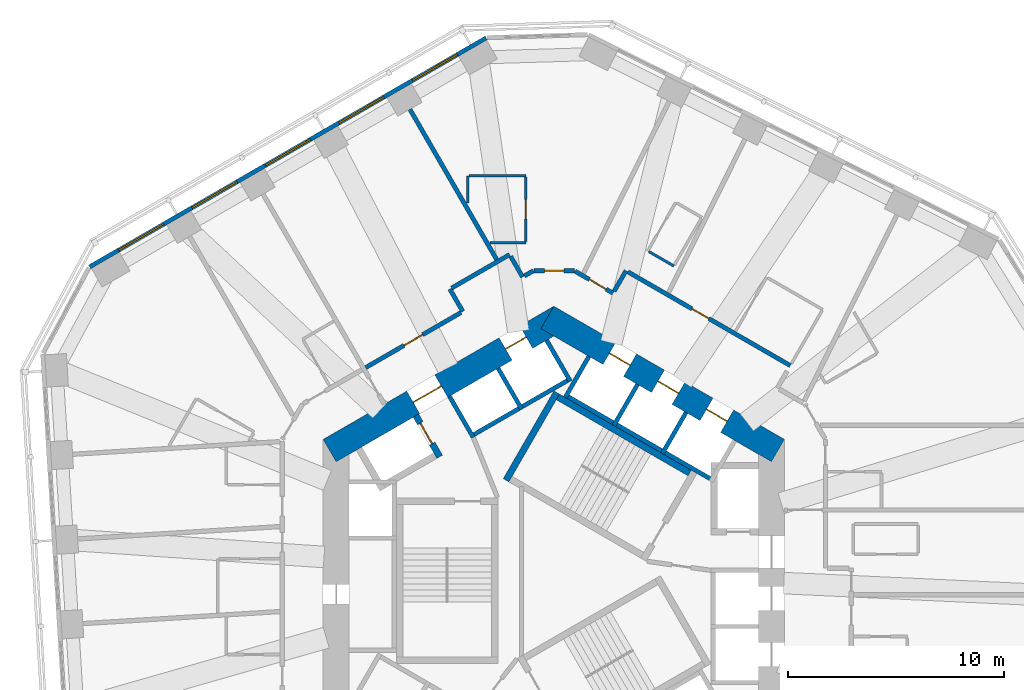
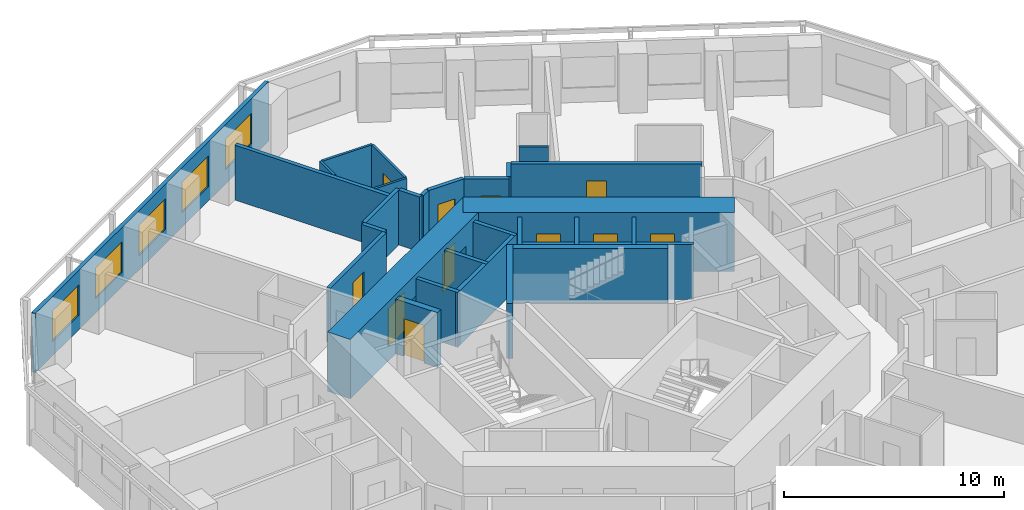
# One storey, part 8 of 12: 29 walls, 11 doors, 5 windows, 16 openings.
"""IFC4 building model written with IfcOpenShell, lengths in metres."""

from ifc_helpers import new_model, si_unit, direction, frame, frame_2d, origin, place, context, subcontext, project, spatial, rectangle, extrude, material, layer, layer_set, type_object, element, fill, save


model = new_model("IFC4")

# Units and contexts
model_context = context("Model", 3, precision=1e-05, world=origin(), true_north=direction((0.0, 1.0)))
body_context = subcontext(model_context, "Body", "Model", "MODEL_VIEW")
ifc_project = project(units=[si_unit("LENGTHUNIT", "METRE"), si_unit("AREAUNIT", "SQUARE_METRE"), si_unit("VOLUMEUNIT", "CUBIC_METRE"), si_unit("PLANEANGLEUNIT", "RADIAN"), si_unit("MASSUNIT", "GRAM", prefix="KILO")], contexts=[model_context])

# Site, building, storey
site_placement = place(None, origin())
site = spatial("IfcSite", under=ifc_project, at=site_placement, CompositionType="ELEMENT")
building_placement = place(site_placement, origin())
building = spatial("IfcBuilding", under=site, at=building_placement, Name="Vanh Sen Convention Tower", CompositionType="ELEMENT")
storey_placement = place(building_placement, frame((0.0, 0.0, 57.199951171875)))
storey = spatial("IfcBuildingStorey", under=building, at=storey_placement, Name="L11", CompositionType="ELEMENT", Elevation=57.199951171875)

# Walls
ifc_material_1 = material(Name="Moisture-resistant gypsum board on steel studs", Category="steel")
ifc_layer_1 = layer(ifc_material_1, 0.1201171875)
ifc_layer_set_1 = layer_set([ifc_layer_1], Name="Moisture-resistant gypsum board on steel studs")
wall_type_1 = type_object("IfcWallType", Name="Bathroom partition 120", PredefinedType="PARTITIONING", material=ifc_layer_set_1)
wall_1_placement = place(storey_placement, frame((-4.0, 17.137451171875, 0.0), z_axis=(0.0, 0.0, 1.0), x_axis=(0.0, 1.0, 0.0)))
element("IfcWall", 1, at=wall_1_placement, inside=storey, type_object=wall_type_1, Name="Bathroom partition 120", PredefinedType="PARTITIONING", context=body_context, shape_type="SweptSolid", body=[
    extrude(rectangle(XDim=1.26318359375, YDim=0.1201171875, at=frame_2d((0.631591796875, 0.0))), origin(), (0.0, 0.0, 1.0), 3.050048828125),
])
wall_2_placement = place(storey_placement, frame((-3.93994140625, 18.400634765625, 0.0), z_axis=(0.0, 0.0, 1.0), x_axis=(1.0, 0.0, 0.0)))
element("IfcWall", 2, at=wall_2_placement, inside=storey, type_object=wall_type_1, Name="Bathroom partition 120", PredefinedType="PARTITIONING", context=body_context, shape_type="SweptSolid", body=[
    extrude(rectangle(XDim=2.639892578125, YDim=0.1201171875, at=frame_2d((1.31982421875, 0.0))), origin(), (0.0, 0.0, 1.0), 3.050048828125),
])
wall_3_placement = place(storey_placement, frame((-1.300048828125, 15.30078125, 0.0), z_axis=(0.0, 0.0, 1.0), x_axis=(-1.0, 0.0, 0.0)))
element("IfcWall", 3, at=wall_3_placement, inside=storey, type_object=wall_type_1, Name="Bathroom partition 120", PredefinedType="PARTITIONING", context=body_context, shape_type="SweptSolid", body=[
    extrude(rectangle(XDim=1.6611328125, YDim=0.1201171875, at=frame_2d((0.83056640625, 0.0))), origin(), (0.0, 0.0, 1.0), 3.050048828125),
])

# Wall, opening, door
wall_4_placement = place(storey_placement, frame((-1.300048828125, 18.3408203125, 0.0), z_axis=(0.0, 0.0, 1.0), x_axis=(0.0, -1.0, 0.0)))
wall_4 = element("IfcWall", 4, at=wall_4_placement, inside=storey, type_object=wall_type_1, Name="Bathroom partition 120", PredefinedType="PARTITIONING", context=body_context, shape_type="SweptSolid", body=[
    extrude(rectangle(XDim=2.980224609375, YDim=0.1201171875, at=frame_2d((1.490234375, 0.0))), origin(), (0.0, 0.0, 1.0), 3.050048828125),
])
opening_1_placement = place(wall_4_placement, frame((1.0400390625, 0.0, 0.0)))
opening_1 = element("IfcOpeningElement", 5, at=opening_1_placement, cuts=wall_4, Name="Opening D10114", PredefinedType="OPENING", context=body_context, shape_type="SweptSolid", body=[
    extrude(rectangle(XDim=0.89990234375, YDim=2.10009765625, at=frame_2d((0.449951171875, 1.050048828125))), frame((0.0, 0.070068359375, 0.0), z_axis=(0.0, -1.0, 0.0), x_axis=(1.0, 0.0, 0.0)), (0.0, 0.0, 1.0), 0.14013671875),
])
ifc_material_2 = material(Name="Laminate door in steel frame", Category="steel")
door_type_1 = type_object("IfcDoorType", Name="En-suite door 900", OperationType="SINGLE_SWING_LEFT", PredefinedType="DOOR", material=ifc_material_2)
door_1_placement = place(opening_1_placement, origin())
door_1 = element("IfcDoor", 6, at=door_1_placement, inside=storey, type_object=door_type_1, Name="En-suite door D10114", OperationType="SINGLE_SWING_LEFT", OverallHeight=2.10009765625, OverallWidth=0.89990234375, PredefinedType="DOOR", context=body_context, shape_type="SweptSolid", body=[
    extrude(rectangle(XDim=0.89990234375, YDim=2.10009765625, at=frame_2d((0.449951171875, 1.050048828125))), frame((0.0, 0.02490234375, 0.0), z_axis=(0.0, -1.0, 0.0), x_axis=(1.0, 0.0, 0.0)), (0.0, 0.0, 1.0), 0.050048828125),
])
fill(opening_1, door_1)

# Wall
wall_5_placement = place(storey_placement, frame((5.568603515625, 14.22216796875, 0.0), z_axis=(0.0, 0.0, 1.0), x_axis=(-0.866036909293, 0.499980071345, 0.0)))
element("IfcWall", 7, at=wall_5_placement, inside=storey, type_object=wall_type_1, Name="Bathroom partition 120", PredefinedType="PARTITIONING", context=body_context, shape_type="SweptSolid", body=[
    extrude(rectangle(XDim=1.33984375, YDim=0.1201171875, at=frame_2d((0.669921875, 0.0))), origin(), (0.0, 0.0, 1.0), 3.050048828125),
])

# Wall, openings, doors
ifc_material_3 = material(Name="Concrete C80/95", Category="concrete")
ifc_layer_2 = layer(ifc_material_3, 1.199951171875)
ifc_layer_set_2 = layer_set([ifc_layer_2], Name="Concrete C80/95")
wall_type_2 = type_object("IfcWallType", Name="Core outer wall 1200 C80/95", PredefinedType="SHEAR", material=ifc_layer_set_2)
wall_6_placement = place(storey_placement, frame((10.39990234375, 5.657958984375, 0.0), z_axis=(0.0, 0.0, 1.0), x_axis=(-0.866021384402, 0.500006961711, 0.0)))
wall_6 = element("IfcWall", 8, at=wall_6_placement, inside=storey, type_object=wall_type_2, Name="Core wall face NE L11", PredefinedType="SHEAR", context=body_context, shape_type="SweptSolid", body=[
    extrude(rectangle(XDim=12.355224609375, YDim=1.199951171875, at=frame_2d((6.177734375, 0.0))), origin(), (0.0, 0.0, 1.0), 3.300048828125),
])
opening_2_placement = place(wall_6_placement, frame((2.727783203125, 0.0, 0.0)))
opening_2 = element("IfcOpeningElement", 9, at=opening_2_placement, cuts=wall_6, Name="Opening LD-LR3", PredefinedType="OPENING", context=body_context, shape_type="SweptSolid", body=[
    extrude(rectangle(XDim=1.10009765625, YDim=2.10009765625, at=frame_2d((0.550048828125, 1.050048828125))), frame((0.0, 0.60986328125, 0.0), z_axis=(0.0, -1.0, 0.0), x_axis=(1.0, 0.0, 0.0)), (0.0, 0.0, 1.0), 1.219970703125),
])
opening_3_placement = place(wall_6_placement, frame((5.32763671875, 0.0, 0.0)))
opening_3 = element("IfcOpeningElement", 10, at=opening_3_placement, cuts=wall_6, Name="Opening LD-LR4", PredefinedType="OPENING", context=body_context, shape_type="SweptSolid", body=[
    extrude(rectangle(XDim=1.10009765625, YDim=2.10009765625, at=frame_2d((0.550048828125, 1.050048828125))), frame((0.0, 0.60986328125, 0.0), z_axis=(0.0, -1.0, 0.0), x_axis=(1.0, 0.0, 0.0)), (0.0, 0.0, 1.0), 1.219970703125),
])
opening_4_placement = place(wall_6_placement, frame((7.927734375, 0.0, 0.0)))
opening_4 = element("IfcOpeningElement", 11, at=opening_4_placement, cuts=wall_6, Name="Opening LD-LR5", PredefinedType="OPENING", context=body_context, shape_type="SweptSolid", body=[
    extrude(rectangle(XDim=1.10009765625, YDim=2.10009765625, at=frame_2d((0.550048828125, 1.050048828125))), frame((0.0, 0.60986328125, 0.0), z_axis=(0.0, -1.0, 0.0), x_axis=(1.0, 0.0, 0.0)), (0.0, 0.0, 1.0), 1.219970703125),
])
ifc_material_4 = material(Name="Stainless steel", Category="steel")
door_type_2 = type_object("IfcDoorType", Name="Lift landing door 1100", OperationType="DOUBLE_DOOR_SLIDING", PredefinedType="DOOR", material=ifc_material_4)
door_2_placement = place(opening_2_placement, origin())
door_2 = element("IfcDoor", 12, at=door_2_placement, inside=storey, type_object=door_type_2, Name="Lift LR3 landing door LD-LR3", OperationType="DOUBLE_DOOR_SLIDING", OverallHeight=2.10009765625, OverallWidth=1.10009765625, PredefinedType="DOOR", context=body_context, shape_type="SweptSolid", body=[
    extrude(rectangle(XDim=1.10009765625, YDim=2.10009765625, at=frame_2d((0.550048828125, 1.050048828125))), frame((0.0, 0.02490234375, 0.0), z_axis=(0.0, -1.0, 0.0), x_axis=(1.0, 0.0, 0.0)), (0.0, 0.0, 1.0), 0.050048828125),
])
fill(opening_2, door_2)
door_3_placement = place(opening_3_placement, origin())
door_3 = element("IfcDoor", 13, at=door_3_placement, inside=storey, type_object=door_type_2, Name="Lift LR4 landing door LD-LR4", OperationType="DOUBLE_DOOR_SLIDING", OverallHeight=2.10009765625, OverallWidth=1.10009765625, PredefinedType="DOOR", context=body_context, shape_type="SweptSolid", body=[
    extrude(rectangle(XDim=1.10009765625, YDim=2.10009765625, at=frame_2d((0.550048828125, 1.050048828125))), frame((0.0, 0.02490234375, 0.0), z_axis=(0.0, -1.0, 0.0), x_axis=(1.0, 0.0, 0.0)), (0.0, 0.0, 1.0), 0.050048828125),
])
fill(opening_3, door_3)
door_4_placement = place(opening_4_placement, origin())
door_4 = element("IfcDoor", 14, at=door_4_placement, inside=storey, type_object=door_type_2, Name="Lift LR5 landing door LD-LR5", OperationType="DOUBLE_DOOR_SLIDING", OverallHeight=2.10009765625, OverallWidth=1.10009765625, PredefinedType="DOOR", context=body_context, shape_type="SweptSolid", body=[
    extrude(rectangle(XDim=1.10009765625, YDim=2.10009765625, at=frame_2d((0.550048828125, 1.050048828125))), frame((0.0, 0.02490234375, 0.0), z_axis=(0.0, -1.0, 0.0), x_axis=(1.0, 0.0, 0.0)), (0.0, 0.0, 1.0), 0.050048828125),
])
fill(opening_4, door_4)

wall_7_placement = place(storey_placement, frame((0.300048828125, 11.835693359375, 0.0), z_axis=(0.0, 0.0, 1.0), x_axis=(-0.866021384402, -0.500006961711, 0.0)))
wall_7 = element("IfcWall", 15, at=wall_7_placement, inside=storey, type_object=wall_type_2, Name="Core wall face NW L11", PredefinedType="SHEAR", context=body_context, shape_type="SweptSolid", body=[
    extrude(rectangle(XDim=12.355224609375, YDim=1.199951171875, at=frame_2d((6.177734375, 0.0))), origin(), (0.0, 0.0, 1.0), 3.300048828125),
])
opening_5_placement = place(wall_7_placement, frame((6.377685546875, 0.0, 0.0)))
opening_5 = element("IfcOpeningElement", 16, at=opening_5_placement, cuts=wall_7, Name="Opening D10002", PredefinedType="OPENING", context=body_context, shape_type="SweptSolid", body=[
    extrude(rectangle(XDim=1.5, YDim=2.10009765625, at=frame_2d((0.75, 1.050048828125))), frame((0.0, 0.60986328125, 0.0), z_axis=(0.0, -1.0, 0.0), x_axis=(1.0, 0.0, 0.0)), (0.0, 0.0, 1.0), 1.219970703125),
])
opening_6_placement = place(wall_7_placement, frame((1.82763671875, 0.0, 0.0)))
opening_6 = element("IfcOpeningElement", 17, at=opening_6_placement, cuts=wall_7, Name="Opening LD-LR6", PredefinedType="OPENING", context=body_context, shape_type="SweptSolid", body=[
    extrude(rectangle(XDim=1.10009765625, YDim=2.10009765625, at=frame_2d((0.550048828125, 1.050048828125))), frame((0.0, 0.60986328125, 0.0), z_axis=(0.0, -1.0, 0.0), x_axis=(1.0, 0.0, 0.0)), (0.0, 0.0, 1.0), 1.219970703125),
])
door_5_placement = place(opening_6_placement, origin())
door_5 = element("IfcDoor", 18, at=door_5_placement, inside=storey, type_object=door_type_2, Name="Lift LR6 landing door LD-LR6", OperationType="DOUBLE_DOOR_SLIDING", OverallHeight=2.10009765625, OverallWidth=1.10009765625, PredefinedType="DOOR", context=body_context, shape_type="SweptSolid", body=[
    extrude(rectangle(XDim=1.10009765625, YDim=2.10009765625, at=frame_2d((0.550048828125, 1.050048828125))), frame((0.0, 0.02490234375, 0.0), z_axis=(0.0, -1.0, 0.0), x_axis=(1.0, 0.0, 0.0)), (0.0, 0.0, 1.0), 0.050048828125),
])
fill(opening_6, door_5)
ifc_material_5 = material(Name="Steel S355", Category="steel")
door_type_3 = type_object("IfcDoorType", Name="Stair lobby door 1500", OperationType="DOUBLE_DOOR_SINGLE_SWING", PredefinedType="DOOR", material=ifc_material_5)
door_6_placement = place(opening_5_placement, origin())
door_6 = element("IfcDoor", 19, at=door_6_placement, inside=storey, type_object=door_type_3, Name="Stair lobby door D10002", OperationType="DOUBLE_DOOR_SINGLE_SWING", OverallHeight=2.10009765625, OverallWidth=1.5, PredefinedType="DOOR", context=body_context, shape_type="SweptSolid", body=[
    extrude(rectangle(XDim=1.5, YDim=2.10009765625, at=frame_2d((0.75, 1.050048828125))), frame((0.0, 0.02490234375, 0.0), z_axis=(0.0, -1.0, 0.0), x_axis=(1.0, 0.0, 0.0)), (0.0, 0.0, 1.0), 0.050048828125),
])
fill(opening_5, door_6)

# Wall
ifc_material_6 = material(Name="Gypsum board on steel studs with mineral wool", Category="steel")
ifc_layer_3 = layer(ifc_material_6, 0.199951171875)
ifc_layer_set_3 = layer_set([ifc_layer_3], Name="Gypsum board on steel studs with mineral wool")
wall_type_3 = type_object("IfcWallType", Name="Corridor partition wall 200", PredefinedType="PARTITIONING", material=ifc_layer_set_3)
wall_8_placement = place(storey_placement, frame((-4.822998046875, 13.151611328125, 0.0), z_axis=(0.0, 0.0, 1.0), x_axis=(0.499986357472, -0.866033280158, 0.0)))
element("IfcWall", 20, at=wall_8_placement, inside=storey, type_object=wall_type_3, Name="Corridor partition wall 200", PredefinedType="PARTITIONING", context=body_context, shape_type="SweptSolid", body=[
    extrude(rectangle(XDim=1.201171875, YDim=0.199951171875, at=frame_2d((0.6005859375, 0.0))), origin(), (0.0, 0.0, 1.0), 3.050048828125),
])

# Wall, opening, door
wall_9_placement = place(storey_placement, frame((-4.30908203125, 12.061279296875, 0.0), z_axis=(0.0, 0.0, 1.0), x_axis=(-0.866020679205, -0.500008183122, 0.0)))
wall_9 = element("IfcWall", 21, at=wall_9_placement, inside=storey, type_object=wall_type_3, Name="Corridor partition wall 200", PredefinedType="PARTITIONING", context=body_context, shape_type="SweptSolid", body=[
    extrude(rectangle(XDim=5.103515625, YDim=0.199951171875, at=frame_2d((2.5517578125, 0.0))), origin(), (0.0, 0.0, 1.0), 3.050048828125),
])
opening_7_placement = place(wall_9_placement, frame((2.0517578125, 0.0, 0.0)))
opening_7 = element("IfcOpeningElement", 22, at=opening_7_placement, cuts=wall_9, Name="Opening D10115", PredefinedType="OPENING", context=body_context, shape_type="SweptSolid", body=[
    extrude(rectangle(XDim=1.0, YDim=2.10009765625, at=frame_2d((0.5, 1.050048828125))), frame((0.0, 0.10986328125, 0.0), z_axis=(0.0, -1.0, 0.0), x_axis=(1.0, 0.0, 0.0)), (0.0, 0.0, 1.0), 0.219970703125),
])
ifc_material_7 = material(Name="Timber fire door in steel frame", Category="steel")
door_type_4 = type_object("IfcDoorType", Name="Floor room door 1000", OperationType="SINGLE_SWING_LEFT", PredefinedType="DOOR", material=ifc_material_7)
door_7_placement = place(opening_7_placement, origin())
door_7 = element("IfcDoor", 23, at=door_7_placement, inside=storey, type_object=door_type_4, Name="Meeting and amenity room door D10115", OperationType="SINGLE_SWING_LEFT", OverallHeight=2.10009765625, OverallWidth=1.0, PredefinedType="DOOR", context=body_context, shape_type="SweptSolid", body=[
    extrude(rectangle(XDim=1.0, YDim=2.10009765625, at=frame_2d((0.5, 1.050048828125))), frame((0.0, 0.02490234375, 0.0), z_axis=(0.0, -1.0, 0.0), x_axis=(1.0, 0.0, 0.0)), (0.0, 0.0, 1.0), 0.050048828125),
])
fill(opening_7, door_7)

# Walls
wall_10_placement = place(storey_placement, frame((-2.0498046875, 14.75244140625, 0.0), z_axis=(0.0, 0.0, 1.0), x_axis=(-0.866030936828, -0.499990416364, 0.0)))
element("IfcWall", 24, at=wall_10_placement, inside=storey, type_object=wall_type_3, Name="Corridor partition wall 200", PredefinedType="PARTITIONING", context=body_context, shape_type="SweptSolid", body=[
    extrude(rectangle(XDim=3.10205078125, YDim=0.199951171875, at=frame_2d((1.551025390625, 0.0))), origin(), (0.0, 0.0, 1.0), 3.050048828125),
])
wall_11_placement = place(storey_placement, frame((-1.449462890625, 13.71240234375, 0.0), z_axis=(0.0, 0.0, 1.0), x_axis=(-0.499978356969, 0.866037899034, 0.0)))
element("IfcWall", 25, at=wall_11_placement, inside=storey, type_object=wall_type_3, Name="Corridor partition wall 200", PredefinedType="PARTITIONING", context=body_context, shape_type="SweptSolid", body=[
    extrude(rectangle(XDim=1.10107421875, YDim=0.199951171875, at=frame_2d((0.550537109375, 0.0))), origin(), (0.0, 0.0, 1.0), 3.050048828125),
])
wall_12_placement = place(storey_placement, frame((-0.949951171875, 14.000732421875, 0.0), z_axis=(0.0, 0.0, 1.0), x_axis=(-0.86609177584, -0.499885022602, 0.0)))
element("IfcWall", 26, at=wall_12_placement, inside=storey, type_object=wall_type_3, Name="Corridor partition wall 200", PredefinedType="PARTITIONING", context=body_context, shape_type="SweptSolid", body=[
    extrude(rectangle(XDim=0.4765625, YDim=0.199951171875, at=frame_2d((0.23828125, 0.0))), origin(), (0.0, 0.0, 1.0), 3.050048828125),
])

# Wall, opening, door
wall_13_placement = place(storey_placement, frame((0.949951171875, 14.000732421875, 0.0), z_axis=(0.0, 0.0, 1.0), x_axis=(-1.0, 0.0, 0.0)))
wall_13 = element("IfcWall", 27, at=wall_13_placement, inside=storey, type_object=wall_type_3, Name="Corridor partition wall 200", PredefinedType="PARTITIONING", context=body_context, shape_type="SweptSolid", body=[
    extrude(rectangle(XDim=1.85986328125, YDim=0.199951171875, at=frame_2d((0.929931640625, 0.0))), origin(), (0.0, 0.0, 1.0), 3.050048828125),
])
opening_8_placement = place(wall_13_placement, frame((0.47998046875, 0.0, 0.0)))
opening_8 = element("IfcOpeningElement", 28, at=opening_8_placement, cuts=wall_13, Name="Opening D10113", PredefinedType="OPENING", context=body_context, shape_type="SweptSolid", body=[
    extrude(rectangle(XDim=0.89990234375, YDim=2.10009765625, at=frame_2d((0.449951171875, 1.050048828125))), frame((0.0, 0.10986328125, 0.0), z_axis=(0.0, -1.0, 0.0), x_axis=(1.0, 0.0, 0.0)), (0.0, 0.0, 1.0), 0.219970703125),
])
door_type_5 = type_object("IfcDoorType", Name="Guest room door 900", OperationType="SINGLE_SWING_LEFT", PredefinedType="DOOR", material=ifc_material_7)
door_8_placement = place(opening_8_placement, origin())
door_8 = element("IfcDoor", 29, at=door_8_placement, inside=storey, type_object=door_type_5, Name="Hotel guest room door D10113", OperationType="SINGLE_SWING_LEFT", OverallHeight=2.10009765625, OverallWidth=0.89990234375, PredefinedType="DOOR", context=body_context, shape_type="SweptSolid", body=[
    extrude(rectangle(XDim=0.89990234375, YDim=2.10009765625, at=frame_2d((0.449951171875, 1.050048828125))), frame((0.0, 0.02490234375, 0.0), z_axis=(0.0, -1.0, 0.0), x_axis=(1.0, 0.0, 0.0)), (0.0, 0.0, 1.0), 0.050048828125),
])
fill(opening_8, door_8)

wall_14_placement = place(storey_placement, frame((2.748291015625, 12.96240234375, 0.0), z_axis=(0.0, 0.0, 1.0), x_axis=(-0.866013897511, 0.50001992892, 0.0)))
wall_14 = element("IfcWall", 30, at=wall_14_placement, inside=storey, type_object=wall_type_3, Name="Corridor partition wall 200", PredefinedType="PARTITIONING", context=body_context, shape_type="SweptSolid", body=[
    extrude(rectangle(XDim=2.03662109375, YDim=0.199951171875, at=frame_2d((1.018310546875, 0.0))), origin(), (0.0, 0.0, 1.0), 3.050048828125),
])
opening_9_placement = place(wall_14_placement, frame((0.371826171875, 0.0, 0.0)))
opening_9 = element("IfcOpeningElement", 31, at=opening_9_placement, cuts=wall_14, Name="Opening D10111", PredefinedType="OPENING", context=body_context, shape_type="SweptSolid", body=[
    extrude(rectangle(XDim=0.89990234375, YDim=2.10009765625, at=frame_2d((0.449951171875, 1.050048828125))), frame((0.0, 0.10986328125, 0.0), z_axis=(0.0, -1.0, 0.0), x_axis=(1.0, 0.0, 0.0)), (0.0, 0.0, 1.0), 0.219970703125),
])
door_9_placement = place(opening_9_placement, origin())
door_9 = element("IfcDoor", 32, at=door_9_placement, inside=storey, type_object=door_type_5, Name="Hotel guest room door D10111", OperationType="SINGLE_SWING_LEFT", OverallHeight=2.10009765625, OverallWidth=0.89990234375, PredefinedType="DOOR", context=body_context, shape_type="SweptSolid", body=[
    extrude(rectangle(XDim=0.89990234375, YDim=2.10009765625, at=frame_2d((0.449951171875, 1.050048828125))), frame((0.0, 0.02490234375, 0.0), z_axis=(0.0, -1.0, 0.0), x_axis=(1.0, 0.0, 0.0)), (0.0, 0.0, 1.0), 0.050048828125),
])
fill(opening_9, door_9)

# Wall
wall_15_placement = place(storey_placement, frame((3.348876953125, 14.00244140625, 0.0), z_axis=(0.0, 0.0, 1.0), x_axis=(-0.500074377092, -0.865982457891, 0.0)))
element("IfcWall", 33, at=wall_15_placement, inside=storey, type_object=wall_type_3, Name="Corridor partition wall 200", PredefinedType="PARTITIONING", context=body_context, shape_type="SweptSolid", body=[
    extrude(rectangle(XDim=1.100830078125, YDim=0.199951171875, at=frame_2d((0.55029296875, 0.0))), origin(), (0.0, 0.0, 1.0), 3.050048828125),
])

# Wall, opening, door
wall_16_placement = place(storey_placement, frame((10.9716796875, 9.6015625, 0.0), z_axis=(0.0, 0.0, 1.0), x_axis=(-0.866033277307, 0.499986362411, 0.0)))
wall_16 = element("IfcWall", 34, at=wall_16_placement, inside=storey, type_object=wall_type_3, Name="Corridor partition wall 200", PredefinedType="PARTITIONING", context=body_context, shape_type="SweptSolid", body=[
    extrude(rectangle(XDim=8.701904296875, YDim=0.199951171875, at=frame_2d((4.35107421875, 0.0))), origin(), (0.0, 0.0, 1.0), 3.050048828125),
])
opening_10_placement = place(wall_16_placement, frame((4.363525390625, 0.0, 0.0)))
opening_10 = element("IfcOpeningElement", 35, at=opening_10_placement, cuts=wall_16, Name="Opening D10109", PredefinedType="OPENING", context=body_context, shape_type="SweptSolid", body=[
    extrude(rectangle(XDim=0.89990234375, YDim=2.10009765625, at=frame_2d((0.449951171875, 1.050048828125))), frame((0.0, 0.10986328125, 0.0), z_axis=(0.0, -1.0, 0.0), x_axis=(1.0, 0.0, 0.0)), (0.0, 0.0, 1.0), 0.219970703125),
])
door_10_placement = place(opening_10_placement, origin())
door_10 = element("IfcDoor", 36, at=door_10_placement, inside=storey, type_object=door_type_5, Name="Hotel guest room door D10109", OperationType="SINGLE_SWING_LEFT", OverallHeight=2.10009765625, OverallWidth=0.89990234375, PredefinedType="DOOR", context=body_context, shape_type="SweptSolid", body=[
    extrude(rectangle(XDim=0.89990234375, YDim=2.10009765625, at=frame_2d((0.449951171875, 1.050048828125))), frame((0.0, 0.02490234375, 0.0), z_axis=(0.0, -1.0, 0.0), x_axis=(1.0, 0.0, 0.0)), (0.0, 0.0, 1.0), 0.050048828125),
])
fill(opening_10, door_10)

# Wall, openings, windows
ifc_material_8 = material(Name="Insulated lightweight infill wall")
ifc_layer_4 = layer(ifc_material_8, 0.199951171875)
ifc_layer_set_4 = layer_set([ifc_layer_4], Name="Insulated lightweight infill wall")
wall_type_4 = type_object("IfcWallType", Name="External wall 200", PredefinedType="STANDARD", material=ifc_layer_set_4)
wall_17_placement = place(storey_placement, frame((-3.135986328125, 24.80517578125, 0.0), z_axis=(0.0, 0.0, 1.0), x_axis=(-0.866028291626, -0.499994998079, 0.0)))
wall_17 = element("IfcWall", 37, at=wall_17_placement, inside=storey, type_object=wall_type_4, Name="External wall NW L11", PredefinedType="STANDARD", context=body_context, shape_type="SweptSolid", body=[
    extrude(rectangle(XDim=21.246337890625, YDim=0.199951171875, at=frame_2d((10.623046875, 0.0))), origin(), (0.0, 0.0, 1.0), 3.300048828125),
])
opening_11_placement = place(wall_17_placement, frame((1.5546875, 0.0, 0.800048828125)))
opening_11 = element("IfcOpeningElement", 38, at=opening_11_placement, cuts=wall_17, Name="Opening WH1-NW1", PredefinedType="OPENING", context=body_context, shape_type="SweptSolid", body=[
    extrude(rectangle(XDim=2.39990234375, YDim=1.699951171875, at=frame_2d((1.199951171875, 0.85009765625))), frame((0.0, 0.10986328125, 0.0), z_axis=(0.0, -1.0, 0.0), x_axis=(1.0, 0.0, 0.0)), (0.0, 0.0, 1.0), 0.219970703125),
])
opening_12_placement = place(wall_17_placement, frame((5.4892578125, 0.0, 0.800048828125)))
opening_12 = element("IfcOpeningElement", 39, at=opening_12_placement, cuts=wall_17, Name="Opening WH1-NW2", PredefinedType="OPENING", context=body_context, shape_type="SweptSolid", body=[
    extrude(rectangle(XDim=2.39990234375, YDim=1.699951171875, at=frame_2d((1.199951171875, 0.85009765625))), frame((0.0, 0.10986328125, 0.0), z_axis=(0.0, -1.0, 0.0), x_axis=(1.0, 0.0, 0.0)), (0.0, 0.0, 1.0), 0.219970703125),
])
opening_13_placement = place(wall_17_placement, frame((9.423828125, 0.0, 0.800048828125)))
opening_13 = element("IfcOpeningElement", 40, at=opening_13_placement, cuts=wall_17, Name="Opening WH1-NW3", PredefinedType="OPENING", context=body_context, shape_type="SweptSolid", body=[
    extrude(rectangle(XDim=2.39990234375, YDim=1.699951171875, at=frame_2d((1.199951171875, 0.85009765625))), frame((0.0, 0.10986328125, 0.0), z_axis=(0.0, -1.0, 0.0), x_axis=(1.0, 0.0, 0.0)), (0.0, 0.0, 1.0), 0.219970703125),
])
opening_14_placement = place(wall_17_placement, frame((13.3583984375, 0.0, 0.800048828125)))
opening_14 = element("IfcOpeningElement", 41, at=opening_14_placement, cuts=wall_17, Name="Opening WH1-NW4", PredefinedType="OPENING", context=body_context, shape_type="SweptSolid", body=[
    extrude(rectangle(XDim=2.39990234375, YDim=1.699951171875, at=frame_2d((1.199951171875, 0.85009765625))), frame((0.0, 0.10986328125, 0.0), z_axis=(0.0, -1.0, 0.0), x_axis=(1.0, 0.0, 0.0)), (0.0, 0.0, 1.0), 0.219970703125),
])
opening_15_placement = place(wall_17_placement, frame((17.293212890625, 0.0, 0.800048828125)))
opening_15 = element("IfcOpeningElement", 42, at=opening_15_placement, cuts=wall_17, Name="Opening WH1-NW5", PredefinedType="OPENING", context=body_context, shape_type="SweptSolid", body=[
    extrude(rectangle(XDim=2.39990234375, YDim=1.699951171875, at=frame_2d((1.199951171875, 0.85009765625))), frame((0.0, 0.10986328125, 0.0), z_axis=(0.0, -1.0, 0.0), x_axis=(1.0, 0.0, 0.0)), (0.0, 0.0, 1.0), 0.219970703125),
])
ifc_material_9 = material(Name="Aluminium frame with clear low-emissivity glass", Category="aluminium")
window_type = type_object("IfcWindowType", Name="Hotel window 2400 x 1700", PartitioningType="SINGLE_PANEL", PredefinedType="WINDOW", material=ifc_material_9)
window_1_placement = place(opening_11_placement, origin())
window_1 = element("IfcWindow", 43, at=window_1_placement, inside=storey, type_object=window_type, Name="Window WH1-NW1", OverallHeight=1.699951171875, OverallWidth=2.39990234375, PartitioningType="SINGLE_PANEL", PredefinedType="WINDOW", context=body_context, shape_type="SweptSolid", body=[
    extrude(rectangle(XDim=2.39990234375, YDim=1.699951171875, at=frame_2d((1.199951171875, 0.85009765625))), frame((0.0, 0.030029296875, 0.0), z_axis=(0.0, -1.0, 0.0), x_axis=(1.0, 0.0, 0.0)), (0.0, 0.0, 1.0), 0.06005859375),
])
fill(opening_11, window_1)
window_2_placement = place(opening_12_placement, origin())
window_2 = element("IfcWindow", 44, at=window_2_placement, inside=storey, type_object=window_type, Name="Window WH1-NW2", OverallHeight=1.699951171875, OverallWidth=2.39990234375, PartitioningType="SINGLE_PANEL", PredefinedType="WINDOW", context=body_context, shape_type="SweptSolid", body=[
    extrude(rectangle(XDim=2.39990234375, YDim=1.699951171875, at=frame_2d((1.199951171875, 0.85009765625))), frame((0.0, 0.030029296875, 0.0), z_axis=(0.0, -1.0, 0.0), x_axis=(1.0, 0.0, 0.0)), (0.0, 0.0, 1.0), 0.06005859375),
])
fill(opening_12, window_2)
window_3_placement = place(opening_13_placement, origin())
window_3 = element("IfcWindow", 45, at=window_3_placement, inside=storey, type_object=window_type, Name="Window WH1-NW3", OverallHeight=1.699951171875, OverallWidth=2.39990234375, PartitioningType="SINGLE_PANEL", PredefinedType="WINDOW", context=body_context, shape_type="SweptSolid", body=[
    extrude(rectangle(XDim=2.39990234375, YDim=1.699951171875, at=frame_2d((1.199951171875, 0.85009765625))), frame((0.0, 0.030029296875, 0.0), z_axis=(0.0, -1.0, 0.0), x_axis=(1.0, 0.0, 0.0)), (0.0, 0.0, 1.0), 0.06005859375),
])
fill(opening_13, window_3)
window_4_placement = place(opening_14_placement, origin())
window_4 = element("IfcWindow", 46, at=window_4_placement, inside=storey, type_object=window_type, Name="Window WH1-NW4", OverallHeight=1.699951171875, OverallWidth=2.39990234375, PartitioningType="SINGLE_PANEL", PredefinedType="WINDOW", context=body_context, shape_type="SweptSolid", body=[
    extrude(rectangle(XDim=2.39990234375, YDim=1.699951171875, at=frame_2d((1.199951171875, 0.85009765625))), frame((0.0, 0.030029296875, 0.0), z_axis=(0.0, -1.0, 0.0), x_axis=(1.0, 0.0, 0.0)), (0.0, 0.0, 1.0), 0.06005859375),
])
fill(opening_14, window_4)
window_5_placement = place(opening_15_placement, origin())
window_5 = element("IfcWindow", 47, at=window_5_placement, inside=storey, type_object=window_type, Name="Window WH1-NW5", OverallHeight=1.699951171875, OverallWidth=2.39990234375, PartitioningType="SINGLE_PANEL", PredefinedType="WINDOW", context=body_context, shape_type="SweptSolid", body=[
    extrude(rectangle(XDim=2.39990234375, YDim=1.699951171875, at=frame_2d((1.199951171875, 0.85009765625))), frame((0.0, 0.030029296875, 0.0), z_axis=(0.0, -1.0, 0.0), x_axis=(1.0, 0.0, 0.0)), (0.0, 0.0, 1.0), 0.06005859375),
])
fill(opening_15, window_5)

# Wall, opening, door
ifc_material_10 = material(Name="Concrete C60/75", Category="concrete")
ifc_layer_5 = layer(ifc_material_10, 0.300048828125)
ifc_layer_set_5 = layer_set([ifc_layer_5], Name="Concrete C60/75")
wall_type_5 = type_object("IfcWallType", Name="Fire-fighting lift shaft wall 300", PredefinedType="SHEAR", material=ifc_layer_set_5)
wall_18_placement = place(storey_placement, frame((-5.29541015625, 5.3720703125, 0.0), z_axis=(0.0, 0.0, 1.0), x_axis=(-0.500077893725, 0.86598042715, 0.0)))
wall_18 = element("IfcWall", 48, at=wall_18_placement, inside=storey, type_object=wall_type_5, Name="Fire-fighting lift shaft wall L11", PredefinedType="SHEAR", context=body_context, shape_type="SweptSolid", body=[
    extrude(rectangle(XDim=2.199951171875, YDim=0.300048828125, at=frame_2d((1.10009765625, 0.0))), origin(), (0.0, 0.0, 1.0), 3.050048828125),
])
opening_16_placement = place(wall_18_placement, frame((0.699951171875, 0.0, 0.0)))
opening_16 = element("IfcOpeningElement", 49, at=opening_16_placement, cuts=wall_18, Name="Opening LD-FF2", PredefinedType="OPENING", context=body_context, shape_type="SweptSolid", body=[
    extrude(rectangle(XDim=1.10009765625, YDim=2.10009765625, at=frame_2d((0.550048828125, 1.050048828125))), frame((0.0, 0.159912109375, 0.0), z_axis=(0.0, -1.0, 0.0), x_axis=(1.0, 0.0, 0.0)), (0.0, 0.0, 1.0), 0.320068359375),
])
door_type_6 = type_object("IfcDoorType", Name="Fire-fighting lift landing door 1100", OperationType="DOUBLE_DOOR_SLIDING", PredefinedType="DOOR", material=ifc_material_4)
door_11_placement = place(opening_16_placement, origin())
door_11 = element("IfcDoor", 50, at=door_11_placement, inside=storey, type_object=door_type_6, Name="Lift FF2 landing door LD-FF2", OperationType="DOUBLE_DOOR_SLIDING", OverallHeight=2.10009765625, OverallWidth=1.10009765625, PredefinedType="DOOR", context=body_context, shape_type="SweptSolid", body=[
    extrude(rectangle(XDim=1.10009765625, YDim=2.10009765625, at=frame_2d((0.550048828125, 1.050048828125))), frame((0.0, 0.02490234375, 0.0), z_axis=(0.0, -1.0, 0.0), x_axis=(1.0, 0.0, 0.0)), (0.0, 0.0, 1.0), 0.050048828125),
])
fill(opening_16, door_11)

# Walls
ifc_layer_6 = layer(ifc_material_6, 0.199951171875)
ifc_layer_set_6 = layer_set([ifc_layer_6], Name="Gypsum board on steel studs with mineral wool")
wall_type_6 = type_object("IfcWallType", Name="Hotel party wall 200", PredefinedType="PARTITIONING", material=ifc_layer_set_6)
wall_19_placement = place(storey_placement, frame((-6.675537109375, 21.49169921875, 0.0), z_axis=(0.0, 0.0, 1.0), x_axis=(0.500011263043, -0.866018900966, 0.0)))
element("IfcWall", 51, at=wall_19_placement, inside=storey, type_object=wall_type_6, Name="Hotel party wall 200", PredefinedType="PARTITIONING", context=body_context, shape_type="SweptSolid", body=[
    extrude(rectangle(XDim=8.049072265625, YDim=0.199951171875, at=frame_2d((4.0244140625, 0.0))), origin(), (0.0, 0.0, 1.0), 3.050048828125),
])
ifc_material_11 = material(Name="Concrete C40/50", Category="concrete")
ifc_layer_7 = layer(ifc_material_11, 0.199951171875)
ifc_layer_set_7 = layer_set([ifc_layer_7], Name="Concrete C40/50")
wall_type_7 = type_object("IfcWallType", Name="Lift shaft wall 200", PredefinedType="PARTITIONING", material=ifc_layer_set_7)
wall_20_placement = place(storey_placement, frame((7.423828125, 4.258544921875, 0.0), z_axis=(0.0, 0.0, 1.0), x_axis=(-0.866026010844, 0.49999894854, 0.0)))
element("IfcWall", 52, at=wall_20_placement, inside=storey, type_object=wall_type_7, Name="Lift shaft wall L11", PredefinedType="PARTITIONING", context=body_context, shape_type="SweptSolid", body=[
    extrude(rectangle(XDim=8.0, YDim=0.199951171875, at=frame_2d((4.0, 0.0))), origin(), (0.0, 0.0, 1.0), 3.050048828125),
])
for number, where, z_axis, x_axis, name in (
    (53, (5.03564453125, 5.52197265625, 0.0), (0.0, 0.0, 1.0), (0.499946605688, 0.86605622881, 0.0), "Lift shaft wall L11"),
    (54, (2.783935546875, 6.822021484375, 0.0), (0.0, 0.0, 1.0), (0.50002983664, 0.866008176907, 0.0), "Lift shaft wall L11"),
    (55, (0.5322265625, 8.1220703125, 0.0), (0.0, 0.0, 1.0), (0.500077893725, 0.86598042715, 0.0), "Lift shaft wall L11"),
):
    element("IfcWall", number, at=place(storey_placement, frame(where, z_axis=z_axis, x_axis=x_axis)), inside=storey, type_object=wall_type_7, Name=name, PredefinedType="PARTITIONING", context=body_context, shape_type="SweptSolid", body=[
        extrude(rectangle(XDim=2.199951171875, YDim=0.199951171875, at=frame_2d((1.10009765625, 0.0))), origin(), (0.0, 0.0, 1.0), 3.050048828125),
    ])
wall_21_placement = place(storey_placement, frame((0.80322265625, 9.008544921875, 0.0), z_axis=(0.0, 0.0, 1.0), x_axis=(-0.866028230842, -0.499995103361, 0.0)))
element("IfcWall", 56, at=wall_21_placement, inside=storey, type_object=wall_type_7, Name="Lift shaft wall L11", PredefinedType="PARTITIONING", context=body_context, shape_type="SweptSolid", body=[
    extrude(rectangle(XDim=5.39990234375, YDim=0.199951171875, at=frame_2d((2.699951171875, 0.0))), origin(), (0.0, 0.0, 1.0), 3.050048828125),
])
wall_22_placement = place(storey_placement, frame((0.7666015625, 8.8720703125, 0.0), z_axis=(0.0, 0.0, 1.0), x_axis=(-0.499994660107, 0.866028486751, 0.0)))
element("IfcWall", 57, at=wall_22_placement, inside=storey, type_object=wall_type_7, Name="Lift shaft wall L11", PredefinedType="PARTITIONING", context=body_context, shape_type="SweptSolid", body=[
    extrude(rectangle(XDim=2.19970703125, YDim=0.199951171875, at=frame_2d((1.099853515625, 0.0))), origin(), (0.0, 0.0, 1.0), 3.050048828125),
])
for number, where, z_axis, x_axis, name in (
    (58, (-1.48486328125, 7.572021484375, 0.0), (0.0, 0.0, 1.0), (-0.50002983664, 0.866008176907, 0.0), "Lift shaft wall L11"),
    (59, (-3.736572265625, 6.27197265625, 0.0), (0.0, 0.0, 1.0), (-0.50002983664, 0.866008176907, 0.0), "Lift shaft wall L11"),
):
    element("IfcWall", number, at=place(storey_placement, frame(where, z_axis=z_axis, x_axis=x_axis)), inside=storey, type_object=wall_type_7, Name=name, PredefinedType="PARTITIONING", context=body_context, shape_type="SweptSolid", body=[
        extrude(rectangle(XDim=2.199951171875, YDim=0.199951171875, at=frame_2d((1.10009765625, 0.0))), origin(), (0.0, 0.0, 1.0), 3.050048828125),
    ])
ifc_layer_8 = layer(ifc_material_10, 0.300048828125)
ifc_layer_set_8 = layer_set([ifc_layer_8], Name="Concrete C60/75")
wall_type_8 = type_object("IfcWallType", Name="Stair wall 300", PredefinedType="SHEAR", material=ifc_layer_set_8)
wall_23_placement = place(storey_placement, frame((-2.216064453125, 4.28173828125, 0.0), z_axis=(0.0, 0.0, 1.0), x_axis=(0.499977259774, 0.866038532462, 0.0)))
element("IfcWall", 60, at=wall_23_placement, inside=storey, type_object=wall_type_8, Name="Stair wall L11", PredefinedType="SHEAR", context=body_context, shape_type="SweptSolid", body=[
    extrude(rectangle(XDim=4.699951171875, YDim=0.300048828125, at=frame_2d((2.35009765625, 0.0))), origin(), (0.0, 0.0, 1.0), 3.050048828125),
])
wall_24_placement = place(storey_placement, frame((6.302978515625, 4.6171875, 0.0), z_axis=(0.0, 0.0, 1.0), x_axis=(-0.866027801685, 0.499995846692, 0.0)))
element("IfcWall", 61, at=wall_24_placement, inside=storey, type_object=wall_type_8, Name="Stair wall L11", PredefinedType="SHEAR", context=body_context, shape_type="SweptSolid", body=[
    extrude(rectangle(XDim=7.06005859375, YDim=0.300048828125, at=frame_2d((3.530029296875, 0.0))), origin(), (0.0, 0.0, 1.0), 3.050048828125),
])

save(model, "model.ifc")
